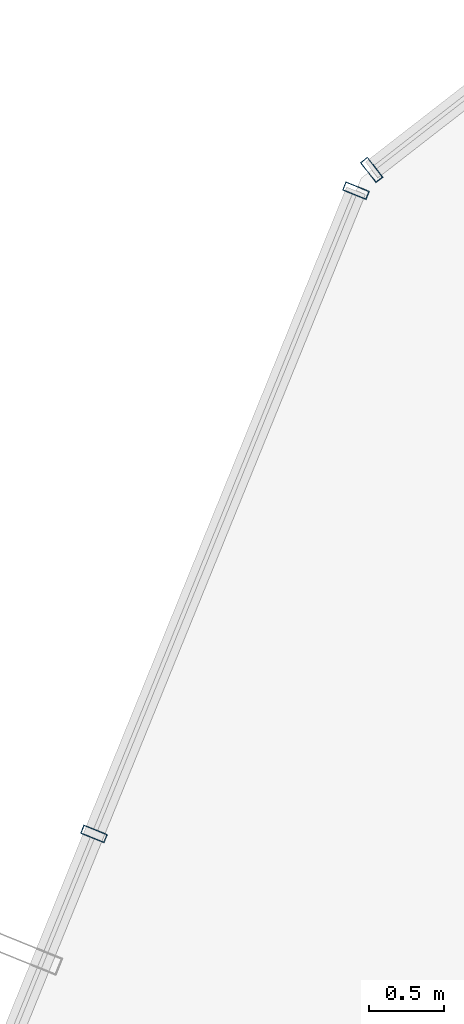
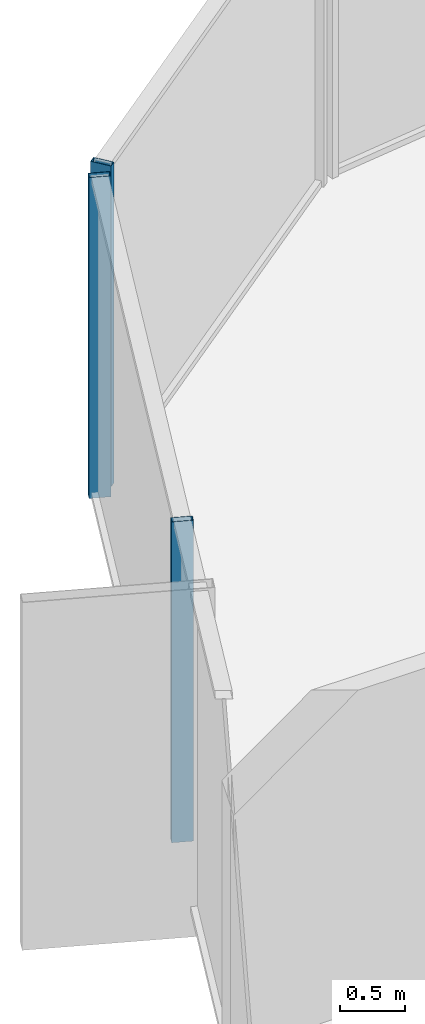
# One storey, part 21 of 37: 3 members, 2 elements without a shape of their own.
"""IFC4 building model written with IfcOpenShell, lengths in metres."""

from ifc_helpers import new_model, si_unit, direction, frame, origin, origin_2d, place, context, subcontext, project, spatial, hollow_rectangle, extrude, source, transform, mapped, material, layer, layer_set, material_profile, profile_set, type_object, element, aggregate, save


model = new_model("IFC4")

# Units and contexts
model_context = context("Model", 3, precision=1e-05, world=origin(), true_north=direction((0.0, 1.0)))
body_context = subcontext(model_context, "Body", "Model", "MODEL_VIEW")
ifc_project = project(units=[si_unit("LENGTHUNIT", "METRE"), si_unit("AREAUNIT", "SQUARE_METRE"), si_unit("VOLUMEUNIT", "CUBIC_METRE"), si_unit("PLANEANGLEUNIT", "RADIAN"), si_unit("MASSUNIT", "GRAM", prefix="KILO")], contexts=[model_context])

# Site, building, storey
site_placement = place(None, origin())
site = spatial("IfcSite", under=ifc_project, at=site_placement, CompositionType="ELEMENT")
building_placement = place(site_placement, origin())
building = spatial("IfcBuilding", under=site, at=building_placement, Name="Veraguas Prism Commons", CompositionType="ELEMENT")
storey_placement = place(building_placement, frame((0.0, 0.0, 50.050048828125)))
storey = spatial("IfcBuildingStorey", under=building, at=storey_placement, Name="L13", CompositionType="ELEMENT", Elevation=50.050048828125)

# Curtain wall, members
ifc_material = material(Name="Anodised aluminium EN AW-6063 T6", Category="aluminium")
ifc_layer = layer(ifc_material, 0.169921875, Name="Unitised Flush Curtain Wall Zone 1", Category="aluminium")
ifc_layer_set = layer_set([ifc_layer], Name="Anodised aluminium EN AW-6063 T6")
curtain_wall_type = type_object("IfcCurtainWallType", Name="Unitised Flush Curtain Wall Zone 1", PredefinedType="NOTDEFINED", material=ifc_layer_set)
curtain_wall_1_placement = place(storey_placement, origin())
curtain_wall_1 = element("IfcCurtainWall", 1, at=curtain_wall_1_placement, inside=storey, type_object=curtain_wall_type, Name="Tower Facade Curtain Wall L13-F3", PredefinedType="NOTDEFINED")
ifc_material_profile = material_profile(ifc_material, hollow_rectangle(XDim=0.06005859375, YDim=0.169921875, WallThickness=0.00390625, at=origin_2d()), Name="AL60X170X4")
ifc_profile_set = profile_set([ifc_material_profile], Name="Anodised aluminium EN AW-6063 T6")
member_type = type_object("IfcMemberType", Name="Curtain Wall Mullion Lower AL 60x170x4", PredefinedType="MULLION", material=ifc_profile_set)
shared_shape = source(origin(), body_context, "Body", "SweptSolid", [
    extrude(hollow_rectangle(XDim=0.06005859375, YDim=0.169921875, WallThickness=0.00390625, at=origin_2d()), origin(), (0.0, 0.0, 1.0), 3.0),
])
member_1_placement = place(storey_placement, frame((8.26318359375, 40.4638671875, 0.0), z_axis=(0.0, 0.0, 1.0), x_axis=(-0.377197548003, -0.926132825128, 0.0)))
member_1 = element("IfcMember", 2, at=member_1_placement, type_object=member_type, Name="CW-Z1 Mullion 1", PredefinedType="MULLION", context=body_context, shape_type="MappedRepresentation", body=[
    mapped(shared_shape, transform((0.0, 0.0, 0.0), scale=1.0)),
])
member_2_placement = place(storey_placement, frame((6.512451171875, 36.165771484375, 0.0), z_axis=(0.0, 0.0, 1.0), x_axis=(-0.377197548003, -0.926132825128, 0.0)))
member_2 = element("IfcMember", 3, at=member_2_placement, type_object=member_type, Name="CW-Z1 Mullion 2", PredefinedType="MULLION", context=body_context, shape_type="MappedRepresentation", body=[
    mapped(shared_shape, transform((0.0, 0.0, 0.0), scale=1.0)),
])
aggregate(curtain_wall_1, [member_1, member_2])

# Curtain wall, member
curtain_wall_2_placement = place(storey_placement, origin())
curtain_wall_2 = element("IfcCurtainWall", 4, at=curtain_wall_2_placement, inside=storey, type_object=curtain_wall_type, Name="Chamfer Curtain Wall L13-C3", PredefinedType="NOTDEFINED")
member_3_placement = place(storey_placement, frame((8.3681640625, 40.6025390625, 0.0), z_axis=(0.0, 0.0, 1.0), x_axis=(-0.789732283416, -0.613451644818, 0.0)))
member_3 = element("IfcMember", 5, at=member_3_placement, type_object=member_type, Name="CW-Z1 Mullion 2", PredefinedType="MULLION", context=body_context, shape_type="MappedRepresentation", body=[
    mapped(shared_shape, transform((0.0, 0.0, 0.0), scale=1.0)),
])
aggregate(curtain_wall_2, [member_3])

save(model, "model.ifc")
